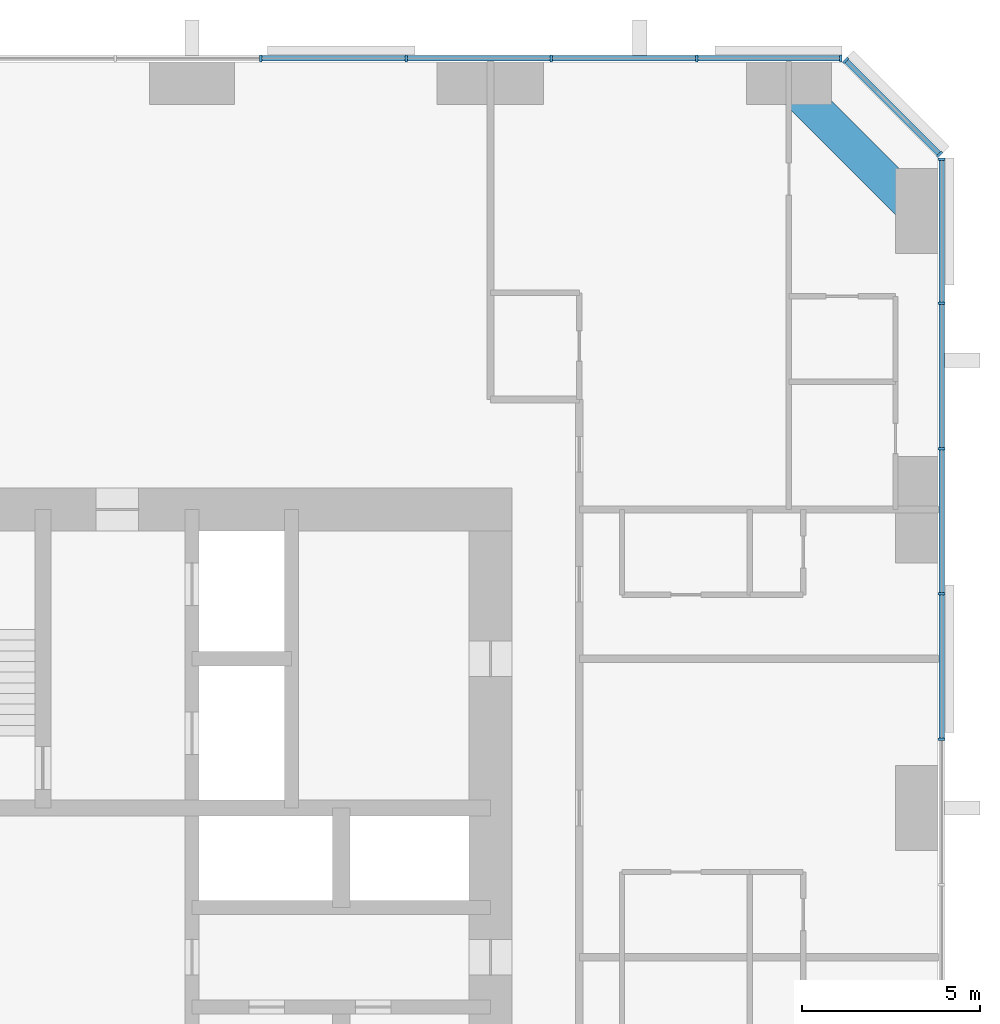
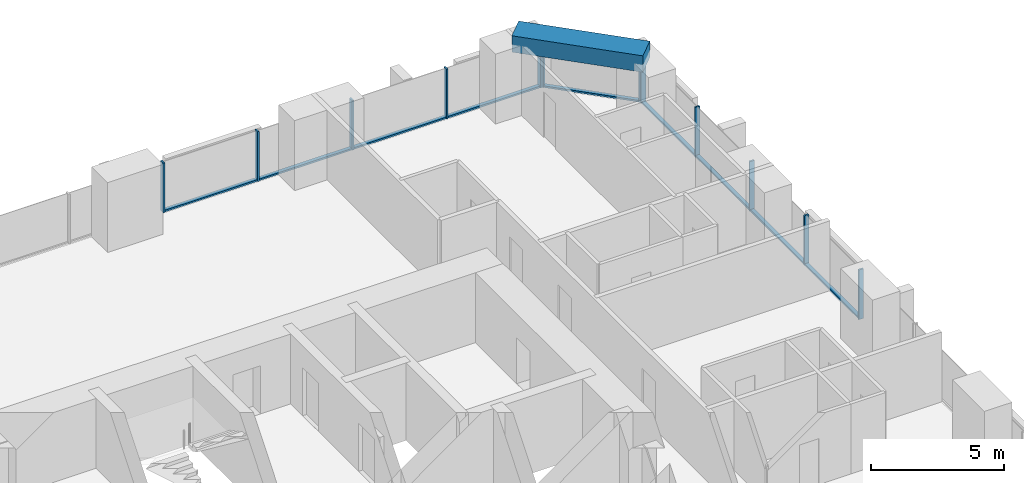
# One storey, part 6 of 13: 21 members, 1 beam, 3 elements without a shape of their own.
"""IFC4 building model written with IfcOpenShell, lengths in metres."""

from ifc_helpers import new_model, si_unit, direction, frame, origin, origin_2d, place, context, subcontext, project, spatial, rectangle, extrude, material, material_profile, profile_set, type_object, element, aggregate, save


model = new_model("IFC4")

# Units and contexts
model_context = context("Model", 3, precision=1e-05, world=origin(), true_north=direction((0.0, 1.0)))
body_context = subcontext(model_context, "Body", "Model", "MODEL_VIEW")
ifc_project = project(units=[si_unit("LENGTHUNIT", "METRE"), si_unit("AREAUNIT", "SQUARE_METRE"), si_unit("VOLUMEUNIT", "CUBIC_METRE"), si_unit("PLANEANGLEUNIT", "RADIAN"), si_unit("MASSUNIT", "GRAM", prefix="KILO")], contexts=[model_context])

# Site, building, storey
site_placement = place(None, origin())
site = spatial("IfcSite", under=ifc_project, at=site_placement, CompositionType="ELEMENT")
building_placement = place(site_placement, origin())
building = spatial("IfcBuilding", under=site, at=building_placement, Name="Dunama Terrace Hotel", CompositionType="ELEMENT")
storey_placement = place(building_placement, frame((0.0, 0.0, 216.60009765625)))
storey = spatial("IfcBuildingStorey", under=building, at=storey_placement, Name="L56", CompositionType="ELEMENT", Elevation=216.60009765625)

# Curtain wall, members
ifc_material_1 = material(Name="Aluminium curtain wall system", Category="aluminium")
curtain_wall_type = type_object("IfcCurtainWallType", Name="Unitised fritted glass wall CW-C", PredefinedType="NOTDEFINED", material=ifc_material_1)
curtain_wall_1_placement = place(storey_placement, origin())
curtain_wall_1 = element("IfcCurtainWall", 1, at=curtain_wall_1_placement, inside=storey, type_object=curtain_wall_type, Name="Unitised fritted glass wall CW-C L56", PredefinedType="NOTDEFINED")
ifc_material_2 = material(Name="Aluminium mullion", Category="aluminium")
ifc_material_profile_1 = material_profile(ifc_material_2, rectangle(XDim=0.070068359375, YDim=0.199951171875, at=origin_2d()), Name="CWC MULLION 70X200")
ifc_profile_set_1 = profile_set([ifc_material_profile_1], Name="Aluminium mullion")
member_type_1 = type_object("IfcMemberType", Name="CWC mullion 70x200", PredefinedType="MULLION", material=ifc_profile_set_1)
member_1_placement = place(storey_placement, frame((54.699951171875, 35.535888671875, 0.0), z_axis=(0.0, 0.0, 1.0), x_axis=(0.0, 1.0, 0.0)))
member_1 = element("IfcMember", 2, at=member_1_placement, type_object=member_type_1, Name="CWC mullion", PredefinedType="MULLION", context=body_context, shape_type="SweptSolid", body=[
    extrude(rectangle(XDim=0.070068359375, YDim=0.199951171875, at=origin_2d()), origin(), (0.0, 0.0, 1.0), 2.27880859375),
])
member_2_placement = place(storey_placement, frame((54.699951171875, 39.626953125, 0.0), z_axis=(0.0, 0.0, 1.0), x_axis=(0.0, 1.0, 0.0)))
member_2 = element("IfcMember", 3, at=member_2_placement, type_object=member_type_1, Name="CWC mullion", PredefinedType="MULLION", context=body_context, shape_type="SweptSolid", body=[
    extrude(rectangle(XDim=0.070068359375, YDim=0.199951171875, at=origin_2d()), origin(), (0.0, 0.0, 1.0), 2.27880859375),
])
member_3_placement = place(storey_placement, frame((54.699951171875, 43.718017578125, 0.0), z_axis=(0.0, 0.0, 1.0), x_axis=(0.0, 1.0, 0.0)))
member_3 = element("IfcMember", 4, at=member_3_placement, type_object=member_type_1, Name="CWC mullion", PredefinedType="MULLION", context=body_context, shape_type="SweptSolid", body=[
    extrude(rectangle(XDim=0.070068359375, YDim=0.199951171875, at=origin_2d()), origin(), (0.0, 0.0, 1.0), 2.27880859375),
])
member_4_placement = place(storey_placement, frame((54.699951171875, 47.80908203125, 0.0), z_axis=(0.0, 0.0, 1.0), x_axis=(0.0, 1.0, 0.0)))
member_4 = element("IfcMember", 5, at=member_4_placement, type_object=member_type_1, Name="CWC mullion", PredefinedType="MULLION", context=body_context, shape_type="SweptSolid", body=[
    extrude(rectangle(XDim=0.070068359375, YDim=0.199951171875, at=origin_2d()), origin(), (0.0, 0.0, 1.0), 2.27880859375),
])
member_5_placement = place(storey_placement, frame((54.699951171875, 51.864990234375, 0.0), z_axis=(0.0, 0.0, 1.0), x_axis=(0.0, 1.0, 0.0)))
member_5 = element("IfcMember", 6, at=member_5_placement, type_object=member_type_1, Name="CWC mullion", PredefinedType="MULLION", context=body_context, shape_type="SweptSolid", body=[
    extrude(rectangle(XDim=0.070068359375, YDim=0.199951171875, at=origin_2d()), origin(), (0.0, 0.0, 1.0), 2.27880859375),
])

curtain_wall_2_placement = place(storey_placement, origin())
curtain_wall_2 = element("IfcCurtainWall", 7, at=curtain_wall_2_placement, inside=storey, type_object=curtain_wall_type, Name="Unitised fritted glass wall CW-C L56", PredefinedType="NOTDEFINED")
member_6_placement = place(storey_placement, frame((54.64599609375, 51.9951171875, 0.0), z_axis=(0.0, 0.0, 1.0), x_axis=(-0.707106781187, 0.707106781187, 0.0)))
member_6 = element("IfcMember", 8, at=member_6_placement, type_object=member_type_1, Name="CWC mullion", PredefinedType="MULLION", context=body_context, shape_type="SweptSolid", body=[
    extrude(rectangle(XDim=0.070068359375, YDim=0.199951171875, at=origin_2d()), origin(), (0.0, 0.0, 1.0), 2.27880859375),
])
member_7_placement = place(storey_placement, frame((51.9951171875, 54.64599609375, 0.0), z_axis=(0.0, 0.0, 1.0), x_axis=(-0.707106781187, 0.707106781187, 0.0)))
member_7 = element("IfcMember", 9, at=member_7_placement, type_object=member_type_1, Name="CWC mullion", PredefinedType="MULLION", context=body_context, shape_type="SweptSolid", body=[
    extrude(rectangle(XDim=0.070068359375, YDim=0.199951171875, at=origin_2d()), origin(), (0.0, 0.0, 1.0), 2.27880859375),
])

curtain_wall_3_placement = place(storey_placement, origin())
curtain_wall_3 = element("IfcCurtainWall", 10, at=curtain_wall_3_placement, inside=storey, type_object=curtain_wall_type, Name="Unitised fritted glass wall CW-C L56", PredefinedType="NOTDEFINED")
member_8_placement = place(storey_placement, frame((51.864990234375, 54.699951171875, 0.0), z_axis=(0.0, 0.0, 1.0), x_axis=(-1.0, 0.0, 0.0)))
member_8 = element("IfcMember", 11, at=member_8_placement, type_object=member_type_1, Name="CWC mullion", PredefinedType="MULLION", context=body_context, shape_type="SweptSolid", body=[
    extrude(rectangle(XDim=0.070068359375, YDim=0.199951171875, at=origin_2d()), origin(), (0.0, 0.0, 1.0), 2.27880859375),
])
member_9_placement = place(storey_placement, frame((47.80908203125, 54.699951171875, 0.0), z_axis=(0.0, 0.0, 1.0), x_axis=(-1.0, 0.0, 0.0)))
member_9 = element("IfcMember", 12, at=member_9_placement, type_object=member_type_1, Name="CWC mullion", PredefinedType="MULLION", context=body_context, shape_type="SweptSolid", body=[
    extrude(rectangle(XDim=0.070068359375, YDim=0.199951171875, at=origin_2d()), origin(), (0.0, 0.0, 1.0), 2.27880859375),
])
member_10_placement = place(storey_placement, frame((43.718017578125, 54.699951171875, 0.0), z_axis=(0.0, 0.0, 1.0), x_axis=(-1.0, 0.0, 0.0)))
member_10 = element("IfcMember", 13, at=member_10_placement, type_object=member_type_1, Name="CWC mullion", PredefinedType="MULLION", context=body_context, shape_type="SweptSolid", body=[
    extrude(rectangle(XDim=0.070068359375, YDim=0.199951171875, at=origin_2d()), origin(), (0.0, 0.0, 1.0), 2.27880859375),
])
member_11_placement = place(storey_placement, frame((39.626953125, 54.699951171875, 0.0), z_axis=(0.0, 0.0, 1.0), x_axis=(-1.0, 0.0, 0.0)))
member_11 = element("IfcMember", 14, at=member_11_placement, type_object=member_type_1, Name="CWC mullion", PredefinedType="MULLION", context=body_context, shape_type="SweptSolid", body=[
    extrude(rectangle(XDim=0.070068359375, YDim=0.199951171875, at=origin_2d()), origin(), (0.0, 0.0, 1.0), 2.27880859375),
])
member_12_placement = place(storey_placement, frame((35.535888671875, 54.699951171875, 0.0), z_axis=(0.0, 0.0, 1.0), x_axis=(-1.0, 0.0, 0.0)))
member_12 = element("IfcMember", 15, at=member_12_placement, type_object=member_type_1, Name="CWC mullion", PredefinedType="MULLION", context=body_context, shape_type="SweptSolid", body=[
    extrude(rectangle(XDim=0.070068359375, YDim=0.199951171875, at=origin_2d()), origin(), (0.0, 0.0, 1.0), 2.27880859375),
])

# Member
ifc_material_3 = material(Name="Aluminium transom", Category="aluminium")
ifc_material_profile_2 = material_profile(ifc_material_3, rectangle(XDim=0.159912109375, YDim=0.080078125, at=origin_2d()), Name="CWC TRANSOM 160X80")
ifc_profile_set_2 = profile_set([ifc_material_profile_2], Name="Aluminium transom")
member_type_2 = type_object("IfcMemberType", Name="CWC transom 160x80", PredefinedType="USERDEFINED", material=ifc_profile_set_2)
member_13_placement = place(storey_placement, frame((54.699951171875, 35.571044921875, 0.039794921875), z_axis=(0.0, 1.0, 0.0), x_axis=(-1.0, 0.0, 0.0)))
member_13 = element("IfcMember", 16, at=member_13_placement, type_object=member_type_2, Name="CWC transom", ObjectType="TRANSOM", PredefinedType="USERDEFINED", context=body_context, shape_type="SweptSolid", body=[
    extrude(rectangle(XDim=0.159912109375, YDim=0.080078125, at=origin_2d()), origin(), (0.0, 0.0, 1.0), 4.02099609375),
])

member_14_placement = place(storey_placement, frame((54.699951171875, 39.662109375, 0.039794921875), z_axis=(0.0, 1.0, 0.0), x_axis=(-1.0, 0.0, 0.0)))
member_14 = element("IfcMember", 17, at=member_14_placement, type_object=member_type_2, Name="CWC transom", ObjectType="TRANSOM", PredefinedType="USERDEFINED", context=body_context, shape_type="SweptSolid", body=[
    extrude(rectangle(XDim=0.159912109375, YDim=0.080078125, at=origin_2d()), origin(), (0.0, 0.0, 1.0), 4.02099609375),
])

member_15_placement = place(storey_placement, frame((54.699951171875, 43.7529296875, 0.039794921875), z_axis=(0.0, 1.0, 0.0), x_axis=(-1.0, 0.0, 0.0)))
member_15 = element("IfcMember", 18, at=member_15_placement, type_object=member_type_2, Name="CWC transom", ObjectType="TRANSOM", PredefinedType="USERDEFINED", context=body_context, shape_type="SweptSolid", body=[
    extrude(rectangle(XDim=0.159912109375, YDim=0.080078125, at=origin_2d()), origin(), (0.0, 0.0, 1.0), 4.02099609375),
])

member_16_placement = place(storey_placement, frame((54.699951171875, 47.843994140625, 0.039794921875), z_axis=(0.0, 1.0, 0.0), x_axis=(-1.0, 0.0, 0.0)))
member_16 = element("IfcMember", 19, at=member_16_placement, type_object=member_type_2, Name="CWC transom", ObjectType="TRANSOM", PredefinedType="USERDEFINED", context=body_context, shape_type="SweptSolid", body=[
    extrude(rectangle(XDim=0.159912109375, YDim=0.080078125, at=origin_2d()), origin(), (0.0, 0.0, 1.0), 3.986083984375),
])

aggregate(curtain_wall_1, [member_1, member_2, member_3, member_4, member_5, member_13, member_14, member_15, member_16])

member_17_placement = place(storey_placement, frame((54.62109375, 52.02001953125, 0.039794921875), z_axis=(-0.707106781187, 0.707106781187, 0.0), x_axis=(-0.707106781187, -0.707106781187, 0.0)))
member_17 = element("IfcMember", 20, at=member_17_placement, type_object=member_type_2, Name="CWC transom", ObjectType="TRANSOM", PredefinedType="USERDEFINED", context=body_context, shape_type="SweptSolid", body=[
    extrude(rectangle(XDim=0.159912109375, YDim=0.080078125, at=origin_2d()), origin(), (0.0, 0.0, 1.0), 3.678466796875),
])

aggregate(curtain_wall_2, [member_6, member_7, member_17])

member_18_placement = place(storey_placement, frame((51.830078125, 54.699951171875, 0.039794921875), z_axis=(-1.0, 0.0, 0.0), x_axis=(0.0, -1.0, 0.0)))
member_18 = element("IfcMember", 21, at=member_18_placement, type_object=member_type_2, Name="CWC transom", ObjectType="TRANSOM", PredefinedType="USERDEFINED", context=body_context, shape_type="SweptSolid", body=[
    extrude(rectangle(XDim=0.159912109375, YDim=0.080078125, at=origin_2d()), origin(), (0.0, 0.0, 1.0), 3.986083984375),
])

member_19_placement = place(storey_placement, frame((47.77392578125, 54.699951171875, 0.039794921875), z_axis=(-1.0, 0.0, 0.0), x_axis=(0.0, -1.0, 0.0)))
member_19 = element("IfcMember", 22, at=member_19_placement, type_object=member_type_2, Name="CWC transom", ObjectType="TRANSOM", PredefinedType="USERDEFINED", context=body_context, shape_type="SweptSolid", body=[
    extrude(rectangle(XDim=0.159912109375, YDim=0.080078125, at=origin_2d()), origin(), (0.0, 0.0, 1.0), 4.02099609375),
])

member_20_placement = place(storey_placement, frame((43.68310546875, 54.699951171875, 0.039794921875), z_axis=(-1.0, 0.0, 0.0), x_axis=(0.0, -1.0, 0.0)))
member_20 = element("IfcMember", 23, at=member_20_placement, type_object=member_type_2, Name="CWC transom", ObjectType="TRANSOM", PredefinedType="USERDEFINED", context=body_context, shape_type="SweptSolid", body=[
    extrude(rectangle(XDim=0.159912109375, YDim=0.080078125, at=origin_2d()), origin(), (0.0, 0.0, 1.0), 4.02099609375),
])

member_21_placement = place(storey_placement, frame((39.592041015625, 54.699951171875, 0.039794921875), z_axis=(-1.0, 0.0, 0.0), x_axis=(0.0, -1.0, 0.0)))
member_21 = element("IfcMember", 24, at=member_21_placement, type_object=member_type_2, Name="CWC transom", ObjectType="TRANSOM", PredefinedType="USERDEFINED", context=body_context, shape_type="SweptSolid", body=[
    extrude(rectangle(XDim=0.159912109375, YDim=0.080078125, at=origin_2d()), origin(), (0.0, 0.0, 1.0), 4.02099609375),
])

aggregate(curtain_wall_3, [member_8, member_9, member_10, member_11, member_12, member_18, member_19, member_20, member_21])

# Beam
ifc_material_4 = material(Name="Concrete C50/60", Category="concrete")
ifc_material_profile_3 = material_profile(ifc_material_4, rectangle(XDim=1.0, YDim=0.75, at=origin_2d()), Name="RC 1000x750")
ifc_profile_set_3 = profile_set([ifc_material_profile_3], Name="Concrete C50/60")
beam_type = type_object("IfcBeamType", Name="Edge beam RC 1000x750", PredefinedType="SPANDREL", material=ifc_profile_set_3)
beam_placement = place(storey_placement, frame((50.39990234375, 54.0, 3.224853515625), z_axis=(0.707106781187, -0.707106781187, 0.0), x_axis=(0.707106781187, 0.707106781187, 0.0)))
element("IfcBeam", 25, at=beam_placement, inside=storey, type_object=beam_type, Name="Corner edge beam under L57", PredefinedType="SPANDREL", context=body_context, shape_type="SweptSolid", body=[
    extrude(rectangle(XDim=1.0, YDim=0.75, at=origin_2d()), origin(), (0.0, 0.0, 1.0), 5.09130859375),
])

save(model, "model.ifc")
